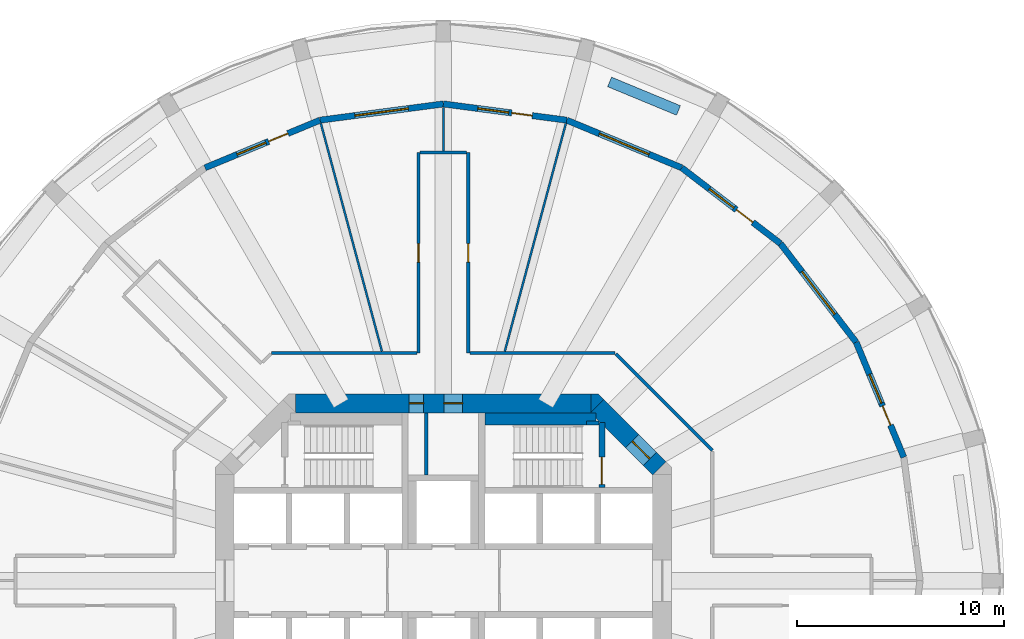
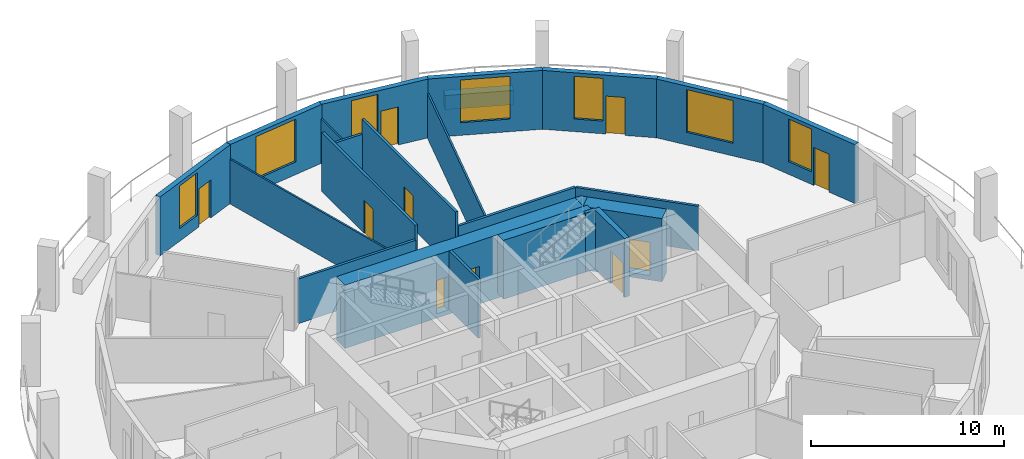
# One storey, part 6 of 9: 24 walls, 10 doors, 7 windows, 17 openings.
"""IFC4 building model written with IfcOpenShell, lengths in metres."""

from ifc_helpers import new_model, si_unit, direction, frame, frame_2d, origin, place, context, subcontext, project, spatial, polyline, rectangle, outline, extrude, material, layer, layer_set, type_object, element, fill, save


model = new_model("IFC4")

# Units and contexts
model_context = context("Model", 3, precision=1e-05, world=origin(), true_north=direction((0.0, 1.0)))
body_context = subcontext(model_context, "Body", "Model", "MODEL_VIEW")
ifc_project = project(units=[si_unit("LENGTHUNIT", "METRE"), si_unit("AREAUNIT", "SQUARE_METRE"), si_unit("VOLUMEUNIT", "CUBIC_METRE"), si_unit("PLANEANGLEUNIT", "RADIAN"), si_unit("MASSUNIT", "GRAM", prefix="KILO")], contexts=[model_context])

# Site, building, storey
site_placement = place(None, origin())
site = spatial("IfcSite", under=ifc_project, at=site_placement, CompositionType="ELEMENT")
building_placement = place(site_placement, origin())
building = spatial("IfcBuilding", under=site, at=building_placement, Name="Torre Triforio", CompositionType="ELEMENT")
storey_placement = place(building_placement, frame((0.0, 0.0, 35.0)))
storey = spatial("IfcBuildingStorey", under=building, at=storey_placement, Name="L06", CompositionType="ELEMENT", Elevation=35.0)

# Wall, openings, doors
ifc_material_1 = material(Name="Concrete C60", Category="concrete")
ifc_layer_1 = layer(ifc_material_1, 0.89990234375)
ifc_layer_set_1 = layer_set([ifc_layer_1], Name="Concrete C60")
wall_type_1 = type_object("IfcWallType", Name="Core wall 900 mm C60 EI 120", PredefinedType="SHEAR", material=ifc_layer_set_1)
wall_1_placement = place(storey_placement, frame((-7.1298828125, 8.550048828125, -0.280029296875), z_axis=(0.0, 0.0, 1.0), x_axis=(1.0, 0.0, 0.0)))
wall_1 = element("IfcWall", 1, at=wall_1_placement, inside=storey, type_object=wall_type_1, Name="Core wall", PredefinedType="SHEAR", context=body_context, shape_type="SweptSolid", body=[
    extrude(rectangle(XDim=14.259765625, YDim=0.89990234375, at=frame_2d((7.1298828125, 0.0))), origin(), (0.0, 0.0, 1.0), 4.0),
])
opening_1_placement = place(wall_1_placement, frame((5.47998046875, 0.0, 0.280029296875)))
opening_1 = element("IfcOpeningElement", 2, at=opening_1_placement, cuts=wall_1, Name="Opening RISER-N", PredefinedType="OPENING", context=body_context, shape_type="SweptSolid", body=[
    extrude(rectangle(XDim=0.699951171875, YDim=2.10009765625, at=frame_2d((0.35009765625, 1.050048828125))), frame((0.0, 0.4599609375, 0.0), z_axis=(0.0, -1.0, 0.0), x_axis=(1.0, 0.0, 0.0)), (0.0, 0.0, 1.0), 0.919921875),
])
opening_2_placement = place(wall_1_placement, frame((7.155029296875, 0.0, 0.280029296875)))
opening_2 = element("IfcOpeningElement", 3, at=opening_2_placement, cuts=wall_1, Name="Opening NE-01", PredefinedType="OPENING", context=body_context, shape_type="SweptSolid", body=[
    extrude(rectangle(XDim=0.89990234375, YDim=2.10009765625, at=frame_2d((0.449951171875, 1.050048828125))), frame((0.0, 0.4599609375, 0.0), z_axis=(0.0, -1.0, 0.0), x_axis=(1.0, 0.0, 0.0)), (0.0, 0.0, 1.0), 0.919921875),
])
ifc_material_2 = material(Name="Hollow metal fire door leaf")
door_type_1 = type_object("IfcDoorType", Name="Riser door 700 x 2100 EI 60", OperationType="NOTDEFINED", PredefinedType="DOOR", material=ifc_material_2)
door_1_placement = place(opening_1_placement, origin())
door_1 = element("IfcDoor", 4, at=door_1_placement, inside=storey, type_object=door_type_1, Name="Core door RISER-N", OperationType="SINGLE_SWING_LEFT", OverallHeight=2.10009765625, OverallWidth=0.699951171875, PredefinedType="DOOR", context=body_context, shape_type="SweptSolid", body=[
    extrude(rectangle(XDim=0.699951171875, YDim=2.10009765625, at=frame_2d((0.35009765625, 1.050048828125))), frame((0.0, 0.02490234375, 0.0), z_axis=(0.0, -1.0, 0.0), x_axis=(1.0, 0.0, 0.0)), (0.0, 0.0, 1.0), 0.050048828125),
])
fill(opening_1, door_1)
door_type_2 = type_object("IfcDoorType", Name="Room door 900 x 2100 EI 60", OperationType="NOTDEFINED", PredefinedType="DOOR", material=ifc_material_2)
door_2_placement = place(opening_2_placement, origin())
door_2 = element("IfcDoor", 5, at=door_2_placement, inside=storey, type_object=door_type_2, Name="Core door NE-01", OperationType="SINGLE_SWING_RIGHT", OverallHeight=2.10009765625, OverallWidth=0.89990234375, PredefinedType="DOOR", context=body_context, shape_type="SweptSolid", body=[
    extrude(rectangle(XDim=0.89990234375, YDim=2.10009765625, at=frame_2d((0.449951171875, 1.050048828125))), frame((0.0, 0.02490234375, 0.0), z_axis=(0.0, -1.0, 0.0), x_axis=(1.0, 0.0, 0.0)), (0.0, 0.0, 1.0), 0.050048828125),
])
fill(opening_2, door_2)

# Wall, opening, door
wall_2_placement = place(storey_placement, frame((7.418212890625, 8.418212890625, -0.280029296875), z_axis=(0.0, 0.0, 1.0), x_axis=(0.707106781187, -0.707106781187, 0.0)))
wall_2 = element("IfcWall", 6, at=wall_2_placement, inside=storey, type_object=wall_type_1, Name="Core wall", PredefinedType="SHEAR", context=body_context, shape_type="SweptSolid", body=[
    extrude(rectangle(XDim=4.24267578125, YDim=0.89990234375, at=frame_2d((2.121337890625, 0.0))), origin(), (0.0, 0.0, 1.0), 4.0),
])
opening_3_placement = place(wall_2_placement, frame((2.392578125, 0.0, 0.280029296875)))
opening_3 = element("IfcOpeningElement", 7, at=opening_3_placement, cuts=wall_2, Name="Opening ST2-EXIT", PredefinedType="OPENING", context=body_context, shape_type="SweptSolid", body=[
    extrude(rectangle(XDim=1.199951171875, YDim=2.10009765625, at=frame_2d((0.60009765625, 1.050048828125))), frame((0.0, 0.4599609375, 0.0), z_axis=(0.0, -1.0, 0.0), x_axis=(1.0, 0.0, 0.0)), (0.0, 0.0, 1.0), 0.919921875),
])
door_type_3 = type_object("IfcDoorType", Name="Stair lobby door 1200 x 2100 EI 60", OperationType="NOTDEFINED", PredefinedType="DOOR", material=ifc_material_2)
door_3_placement = place(opening_3_placement, origin())
door_3 = element("IfcDoor", 8, at=door_3_placement, inside=storey, type_object=door_type_3, Name="Core door ST2-EXIT", OperationType="SINGLE_SWING_RIGHT", OverallHeight=2.10009765625, OverallWidth=1.199951171875, PredefinedType="DOOR", context=body_context, shape_type="SweptSolid", body=[
    extrude(rectangle(XDim=1.199951171875, YDim=2.10009765625, at=frame_2d((0.60009765625, 1.050048828125))), frame((0.0, 0.02490234375, 0.0), z_axis=(0.0, -1.0, 0.0), x_axis=(1.0, 0.0, 0.0)), (0.0, 0.0, 1.0), 0.050048828125),
])
fill(opening_3, door_3)

# Walls
wall_3_placement = place(storey_placement, frame((0.0, 0.0, -0.280029296875)))
element("IfcWall", 9, at=wall_3_placement, inside=storey, type_object=wall_type_1, Name="Core wall", PredefinedType="SHEAR", context=body_context, shape_type="SweptSolid", body=[
    extrude(outline(polyline([(7.472900390625, 9.0), (7.736328125, 8.736328125), (7.1298828125, 8.1298828125), (7.1298828125, 9.0), (7.472900390625, 9.0)])), origin(), (0.0, 0.0, 1.0), 4.0),
])
ifc_material_3 = material(Name="Plasterboard on metal studs")
ifc_layer_2 = layer(ifc_material_3, 0.14990234375)
ifc_layer_set_2 = layer_set([ifc_layer_2], Name="Plasterboard on metal studs")
wall_type_2 = type_object("IfcWallType", Name="Corridor and tenancy wall 150 mm EI 60", PredefinedType="PARTITIONING", material=ifc_layer_set_2)
wall_4_placement = place(storey_placement, frame((-8.291015625, 10.97509765625, 0.0), z_axis=(0.0, 0.0, 1.0), x_axis=(1.0, 0.0, 0.0)))
element("IfcWall", 10, at=wall_4_placement, inside=storey, type_object=wall_type_2, Name="Partition 21", PredefinedType="PARTITIONING", context=body_context, shape_type="SweptSolid", body=[
    extrude(rectangle(XDim=7.01611328125, YDim=0.14990234375, at=frame_2d((3.508056640625, 0.0))), origin(), (0.0, 0.0, 1.0), 2.820068359375),
])

# Wall, opening, door
wall_5_placement = place(storey_placement, frame((-1.199951171875, 10.97509765625, 0.0), z_axis=(0.0, 0.0, 1.0), x_axis=(0.0, 1.0, 0.0)))
wall_5 = element("IfcWall", 11, at=wall_5_placement, inside=storey, type_object=wall_type_2, Name="Partition 22", PredefinedType="PARTITIONING", context=body_context, shape_type="SweptSolid", body=[
    extrude(rectangle(XDim=9.673583984375, YDim=0.14990234375, at=frame_2d((4.8369140625, 0.0))), origin(), (0.0, 0.0, 1.0), 3.719970703125),
])
opening_4_placement = place(wall_5_placement, frame((4.386962890625, 0.0, 0.0)))
opening_4 = element("IfcOpeningElement", 12, at=opening_4_placement, cuts=wall_5, Name="Opening N1-03", PredefinedType="OPENING", context=body_context, shape_type="SweptSolid", body=[
    extrude(rectangle(XDim=0.89990234375, YDim=2.10009765625, at=frame_2d((0.449951171875, 1.050048828125))), frame((0.0, 0.0849609375, 0.0), z_axis=(0.0, -1.0, 0.0), x_axis=(1.0, 0.0, 0.0)), (0.0, 0.0, 1.0), 0.169921875),
])
ifc_material_4 = material(Name="Timber", Category="wood")
door_type_4 = type_object("IfcDoorType", Name="Door 900 x 2100 single leaf EI 30", OperationType="NOTDEFINED", PredefinedType="DOOR", material=ifc_material_4)
door_4_placement = place(opening_4_placement, origin())
door_4 = element("IfcDoor", 13, at=door_4_placement, inside=storey, type_object=door_type_4, Name="Door N1-03", OperationType="SINGLE_SWING_RIGHT", OverallHeight=2.10009765625, OverallWidth=0.89990234375, PredefinedType="DOOR", context=body_context, shape_type="SweptSolid", body=[
    extrude(rectangle(XDim=0.89990234375, YDim=2.10009765625, at=frame_2d((0.449951171875, 1.050048828125))), frame((0.0, 0.02490234375, 0.0), z_axis=(0.0, -1.0, 0.0), x_axis=(1.0, 0.0, 0.0)), (0.0, 0.0, 1.0), 0.050048828125),
])
fill(opening_4, door_4)

# Wall
wall_6_placement = place(storey_placement, frame((-1.125, 20.648681640625, 0.0), z_axis=(0.0, 0.0, 1.0), x_axis=(1.0, 0.0, 0.0)))
element("IfcWall", 14, at=wall_6_placement, inside=storey, type_object=wall_type_2, Name="Partition 23", PredefinedType="PARTITIONING", context=body_context, shape_type="SweptSolid", body=[
    extrude(rectangle(XDim=2.25, YDim=0.14990234375, at=frame_2d((1.125, 0.0))), origin(), (0.0, 0.0, 1.0), 2.820068359375),
])

# Wall, opening, door
wall_7_placement = place(storey_placement, frame((1.199951171875, 20.648681640625, 0.0), z_axis=(0.0, 0.0, 1.0), x_axis=(0.0, -1.0, 0.0)))
wall_7 = element("IfcWall", 15, at=wall_7_placement, inside=storey, type_object=wall_type_2, Name="Partition 24", PredefinedType="PARTITIONING", context=body_context, shape_type="SweptSolid", body=[
    extrude(rectangle(XDim=9.673583984375, YDim=0.14990234375, at=frame_2d((4.8369140625, 0.0))), origin(), (0.0, 0.0, 1.0), 3.719970703125),
])
opening_5_placement = place(wall_7_placement, frame((4.386962890625, 0.0, 0.0)))
opening_5 = element("IfcOpeningElement", 16, at=opening_5_placement, cuts=wall_7, Name="Opening N1-02", PredefinedType="OPENING", context=body_context, shape_type="SweptSolid", body=[
    extrude(rectangle(XDim=0.89990234375, YDim=2.10009765625, at=frame_2d((0.449951171875, 1.050048828125))), frame((0.0, 0.0849609375, 0.0), z_axis=(0.0, -1.0, 0.0), x_axis=(1.0, 0.0, 0.0)), (0.0, 0.0, 1.0), 0.169921875),
])
door_5_placement = place(opening_5_placement, origin())
door_5 = element("IfcDoor", 17, at=door_5_placement, inside=storey, type_object=door_type_4, Name="Door N1-02", OperationType="SINGLE_SWING_RIGHT", OverallHeight=2.10009765625, OverallWidth=0.89990234375, PredefinedType="DOOR", context=body_context, shape_type="SweptSolid", body=[
    extrude(rectangle(XDim=0.89990234375, YDim=2.10009765625, at=frame_2d((0.449951171875, 1.050048828125))), frame((0.0, 0.02490234375, 0.0), z_axis=(0.0, -1.0, 0.0), x_axis=(1.0, 0.0, 0.0)), (0.0, 0.0, 1.0), 0.050048828125),
])
fill(opening_5, door_5)

# Walls
wall_8_placement = place(storey_placement, frame((1.27490234375, 10.97509765625, 0.0), z_axis=(0.0, 0.0, 1.0), x_axis=(1.0, 0.0, 0.0)))
element("IfcWall", 18, at=wall_8_placement, inside=storey, type_object=wall_type_2, Name="Partition 25", PredefinedType="PARTITIONING", context=body_context, shape_type="SweptSolid", body=[
    extrude(rectangle(XDim=7.01611328125, YDim=0.14990234375, at=frame_2d((3.508056640625, 0.0))), origin(), (0.0, 0.0, 1.0), 2.820068359375),
])
wall_9_placement = place(storey_placement, frame((8.327880859375, 10.93798828125, 0.0), z_axis=(0.0, 0.0, 1.0), x_axis=(0.707125355289, -0.707088206597, 0.0)))
element("IfcWall", 19, at=wall_9_placement, inside=storey, type_object=wall_type_2, Name="Partition 26", PredefinedType="PARTITIONING", context=body_context, shape_type="SweptSolid", body=[
    extrude(rectangle(XDim=6.572021484375, YDim=0.14990234375, at=frame_2d((3.2861328125, 0.0))), origin(), (0.0, 0.0, 1.0), 2.820068359375),
])
ifc_layer_3 = layer(ifc_material_3, 0.10009765625)
ifc_layer_set_3 = layer_set([ifc_layer_3], Name="Plasterboard on metal studs")
wall_type_3 = type_object("IfcWallType", Name="Partition 100 mm board on metal studs", PredefinedType="PARTITIONING", material=ifc_layer_set_3)
wall_10_placement = place(storey_placement, frame((2.964599609375, 11.064208984375, 0.0), z_axis=(0.0, 0.0, 1.0), x_axis=(0.258827930947, 0.965923445291, 0.0)))
element("IfcWall", 20, at=wall_10_placement, inside=storey, type_object=wall_type_3, Name="Partition 36", PredefinedType="PARTITIONING", context=body_context, shape_type="SweptSolid", body=[
    extrude(rectangle(XDim=11.38232421875, YDim=0.10009765625, at=frame_2d((5.691162109375, 0.0))), origin(), (0.0, 0.0, 1.0), 2.820068359375),
])
wall_11_placement = place(storey_placement, frame((0.0, 20.7236328125, 0.0), z_axis=(0.0, 0.0, 1.0), x_axis=(0.0, 1.0, 0.0)))
element("IfcWall", 21, at=wall_11_placement, inside=storey, type_object=wall_type_3, Name="Partition 37", PredefinedType="PARTITIONING", context=body_context, shape_type="SweptSolid", body=[
    extrude(rectangle(XDim=2.113037109375, YDim=0.10009765625, at=frame_2d((1.056640625, 0.0))), origin(), (0.0, 0.0, 1.0), 2.820068359375),
])
wall_12_placement = place(storey_placement, frame((-2.964599609375, 11.064208984375, 0.0), z_axis=(0.0, 0.0, 1.0), x_axis=(-0.258827930947, 0.965923445291, 0.0)))
element("IfcWall", 22, at=wall_12_placement, inside=storey, type_object=wall_type_3, Name="Partition 38", PredefinedType="PARTITIONING", context=body_context, shape_type="SweptSolid", body=[
    extrude(rectangle(XDim=11.38232421875, YDim=0.10009765625, at=frame_2d((5.691162109375, 0.0))), origin(), (0.0, 0.0, 1.0), 2.820068359375),
])
ifc_material_5 = material(Name="Block and board partition")
ifc_layer_4 = layer(ifc_material_5, 0.14990234375)
ifc_layer_set_4 = layer_set([ifc_layer_4], Name="Block and board partition")
wall_type_4 = type_object("IfcWallType", Name="Partition 150 mm EI 120", PredefinedType="PARTITIONING", material=ifc_layer_set_4)
wall_13_placement = place(storey_placement, frame((-0.824951171875, 5.10009765625, 0.0), z_axis=(0.0, 0.0, 1.0), x_axis=(0.0, 1.0, 0.0)))
element("IfcWall", 23, at=wall_13_placement, inside=storey, type_object=wall_type_4, Name="Partition", PredefinedType="PARTITIONING", context=body_context, shape_type="SweptSolid", body=[
    extrude(rectangle(XDim=3.0, YDim=0.14990234375, at=frame_2d((1.5, 0.0))), origin(), (0.0, 0.0, 1.0), 3.719970703125),
])
ifc_material_6 = material(Name="Limestone cladding", Category="masonry")
ifc_layer_5 = layer(ifc_material_6, 0.10009765625)
ifc_material_7 = material(Name="Concrete C40", Category="concrete")
ifc_layer_6 = layer(ifc_material_7, 0.39990234375)
ifc_layer_set_5 = layer_set([ifc_layer_5, ifc_layer_6], Name="Limestone cladding / Concrete C40")
wall_type_5 = type_object("IfcWallType", Name="Planter wall 500", PredefinedType="PARAPET", material=ifc_layer_set_5)
wall_14_placement = place(storey_placement, frame((11.344970703125, 22.685302734375, 0.0), z_axis=(0.0, 0.0, 1.0), x_axis=(-0.923885420167, 0.382669217998, 0.0)))
element("IfcWall", 24, at=wall_14_placement, inside=storey, type_object=wall_type_5, Name="Planter L06 bay 05", PredefinedType="PARAPET", context=body_context, shape_type="SweptSolid", body=[
    extrude(rectangle(XDim=3.60009765625, YDim=0.5, at=frame_2d((1.800048828125, 0.0))), origin(), (0.0, 0.0, 1.0), 0.89990234375),
])
ifc_layer_7 = layer(ifc_material_1, 0.199951171875)
ifc_layer_set_6 = layer_set([ifc_layer_7], Name="Concrete C60")
wall_type_6 = type_object("IfcWallType", Name="Stair wall 200 mm C60 EI 120", PredefinedType="SHEAR", material=ifc_layer_set_6)
wall_15_placement = place(storey_placement, frame((6.89990234375, 7.60009765625, 0.0), z_axis=(0.0, 0.0, 1.0), x_axis=(1.0, 0.0, 0.0)))
element("IfcWall", 25, at=wall_15_placement, inside=storey, type_object=wall_type_6, Name="Stair wall", PredefinedType="SHEAR", context=body_context, shape_type="SweptSolid", body=[
    extrude(rectangle(XDim=0.60009765625, YDim=0.199951171875, at=frame_2d((0.300048828125, 0.0))), origin(), (0.0, 0.0, 1.0), 3.719970703125),
])

# Wall, opening, door
ifc_layer_8 = layer(ifc_material_1, 0.300048828125)
ifc_layer_set_7 = layer_set([ifc_layer_8], Name="Concrete C60")
wall_type_7 = type_object("IfcWallType", Name="Stair wall 300 mm C60 EI 120", PredefinedType="SHEAR", material=ifc_layer_set_7)
wall_16_placement = place(storey_placement, frame((7.64990234375, 4.5, 0.0), z_axis=(0.0, 0.0, 1.0), x_axis=(0.0, 1.0, 0.0)))
wall_16 = element("IfcWall", 26, at=wall_16_placement, inside=storey, type_object=wall_type_7, Name="Stair wall", PredefinedType="SHEAR", context=body_context, shape_type="SweptSolid", body=[
    extrude(rectangle(XDim=3.139892578125, YDim=0.300048828125, at=frame_2d((1.56982421875, 0.0))), origin(), (0.0, 0.0, 1.0), 3.719970703125),
])
opening_6_placement = place(wall_16_placement, frame((0.139892578125, 0.0, 0.0)))
opening_6 = element("IfcOpeningElement", 27, at=opening_6_placement, cuts=wall_16, Name="Opening ST2-STA", PredefinedType="OPENING", context=body_context, shape_type="SweptSolid", body=[
    extrude(rectangle(XDim=1.320068359375, YDim=2.10009765625, at=frame_2d((0.66015625, 1.050048828125))), frame((0.0, 0.159912109375, 0.0), z_axis=(0.0, -1.0, 0.0), x_axis=(1.0, 0.0, 0.0)), (0.0, 0.0, 1.0), 0.320068359375),
])
door_type_5 = type_object("IfcDoorType", Name="Stair door 1320 x 2100 EI 90", OperationType="DOUBLE_DOOR_SINGLE_SWING", PredefinedType="DOOR", material=ifc_material_2)
door_6_placement = place(opening_6_placement, origin())
door_6 = element("IfcDoor", 28, at=door_6_placement, inside=storey, type_object=door_type_5, Name="Core door ST2-ST", OperationType="DOUBLE_DOOR_SINGLE_SWING", OverallHeight=2.10009765625, OverallWidth=1.320068359375, PredefinedType="DOOR", context=body_context, shape_type="SweptSolid", body=[
    extrude(rectangle(XDim=1.320068359375, YDim=2.10009765625, at=frame_2d((0.66015625, 1.050048828125))), frame((0.0, 0.02490234375, 0.0), z_axis=(0.0, -1.0, 0.0), x_axis=(1.0, 0.0, 0.0)), (0.0, 0.0, 1.0), 0.050048828125),
])
fill(opening_6, door_6)

# Wall
ifc_layer_9 = layer(ifc_material_1, 0.60009765625)
ifc_layer_set_8 = layer_set([ifc_layer_9], Name="Concrete C60")
wall_type_8 = type_object("IfcWallType", Name="Stair wall 600 mm C60 EI 120", PredefinedType="SHEAR", material=ifc_layer_set_8)
wall_17_placement = place(storey_placement, frame((2.0, 7.800048828125, 0.0), z_axis=(0.0, 0.0, 1.0), x_axis=(1.0, 0.0, 0.0)))
element("IfcWall", 29, at=wall_17_placement, inside=storey, type_object=wall_type_8, Name="Stair wall", PredefinedType="SHEAR", context=body_context, shape_type="SweptSolid", body=[
    extrude(rectangle(XDim=5.3701171875, YDim=0.60009765625, at=frame_2d((2.68505859375, 0.0))), origin(), (0.0, 0.0, 1.0), 3.719970703125),
])

# Wall, openings, door, window
ifc_layer_10 = layer(ifc_material_6, 0.10009765625)
ifc_layer_11 = layer(ifc_material_7, 0.199951171875)
ifc_layer_set_9 = layer_set([ifc_layer_10, ifc_layer_11], Name="Limestone cladding / Concrete C40")
wall_type_9 = type_object("IfcWallType", Name="Stone-faced composite wall 300", PredefinedType="STANDARD", material=ifc_layer_set_9)
wall_18_placement = place(storey_placement, frame((22.21630859375, 5.952880859375, 0.0), z_axis=(0.0, 0.0, 1.0), x_axis=(-0.382671411433, 0.923884511653, 0.0)))
wall_18 = element("IfcWall", 30, at=wall_18_placement, inside=storey, type_object=wall_type_9, Name="External wall L06 bay 02", PredefinedType="STANDARD", context=body_context, shape_type="SweptSolid", body=[
    extrude(rectangle(XDim=6.004150390625, YDim=0.300048828125, at=frame_2d((3.001953125, 0.0))), origin(), (0.0, 0.0, 1.0), 3.719970703125),
])
opening_7_placement = place(wall_18_placement, frame((1.677001953125, 0.0, 0.0)))
opening_7 = element("IfcOpeningElement", 31, at=opening_7_placement, cuts=wall_18, Name="Opening N1-D02", PredefinedType="OPENING", context=body_context, shape_type="SweptSolid", body=[
    extrude(rectangle(XDim=1.0, YDim=2.39990234375, at=frame_2d((0.5, 1.199951171875))), frame((0.0, 0.159912109375, 0.0), z_axis=(0.0, -1.0, 0.0), x_axis=(1.0, 0.0, 0.0)), (0.0, 0.0, 1.0), 0.320068359375),
])
opening_8_placement = place(wall_18_placement, frame((2.8271484375, 0.0, 0.800048828125)))
opening_8 = element("IfcOpeningElement", 32, at=opening_8_placement, cuts=wall_18, Name="Opening N1-W02A", PredefinedType="OPENING", context=body_context, shape_type="SweptSolid", body=[
    extrude(rectangle(XDim=1.5, YDim=2.699951171875, at=frame_2d((0.75, 1.35009765625))), frame((0.0, 0.159912109375, 0.0), z_axis=(0.0, -1.0, 0.0), x_axis=(1.0, 0.0, 0.0)), (0.0, 0.0, 1.0), 0.320068359375),
])
ifc_material_8 = material(Name="Aluminium frame with clear double glazing", Category="aluminium")
door_type_6 = type_object("IfcDoorType", Name="Loggia door 1000 x 2400", OperationType="NOTDEFINED", PredefinedType="DOOR", material=ifc_material_8)
door_7_placement = place(opening_7_placement, origin())
door_7 = element("IfcDoor", 33, at=door_7_placement, inside=storey, type_object=door_type_6, Name="Loggia door L06 bay 02", OperationType="SINGLE_SWING_LEFT", OverallHeight=2.39990234375, OverallWidth=1.0, PredefinedType="DOOR", context=body_context, shape_type="SweptSolid", body=[
    extrude(rectangle(XDim=1.0, YDim=2.39990234375, at=frame_2d((0.5, 1.199951171875))), frame((0.0, 0.02490234375, 0.0), z_axis=(0.0, -1.0, 0.0), x_axis=(1.0, 0.0, 0.0)), (0.0, 0.0, 1.0), 0.050048828125),
])
fill(opening_7, door_7)
window_type_1 = type_object("IfcWindowType", Name="Side window 1500 x 2700", PartitioningType="SINGLE_PANEL", PredefinedType="WINDOW", material=ifc_material_8)
window_1_placement = place(opening_8_placement, origin())
window_1 = element("IfcWindow", 34, at=window_1_placement, inside=storey, type_object=window_type_1, Name="Side window EWN12 L06 bay 02", OverallHeight=2.699951171875, OverallWidth=1.5, PartitioningType="SINGLE_PANEL", PredefinedType="WINDOW", context=body_context, shape_type="SweptSolid", body=[
    extrude(rectangle(XDim=1.5, YDim=2.699951171875, at=frame_2d((0.75, 1.35009765625))), frame((0.0, 0.030029296875, 0.0), z_axis=(0.0, -1.0, 0.0), x_axis=(1.0, 0.0, 0.0)), (0.0, 0.0, 1.0), 0.06005859375),
])
fill(opening_8, window_1)

# Wall, opening, window
wall_19_placement = place(storey_placement, frame((19.918701171875, 11.5, 0.0), z_axis=(0.0, 0.0, 1.0), x_axis=(-0.608778912074, 0.793339924758, 0.0)))
wall_19 = element("IfcWall", 35, at=wall_19_placement, inside=storey, type_object=wall_type_9, Name="External wall L06 bay 03", PredefinedType="STANDARD", context=body_context, shape_type="SweptSolid", body=[
    extrude(rectangle(XDim=6.004150390625, YDim=0.300048828125, at=frame_2d((3.001953125, 0.0))), origin(), (0.0, 0.0, 1.0), 3.719970703125),
])
opening_9_placement = place(wall_19_placement, frame((1.7021484375, 0.0, 0.800048828125)))
opening_9 = element("IfcOpeningElement", 36, at=opening_9_placement, cuts=wall_19, Name="Opening N1-W03", PredefinedType="OPENING", context=body_context, shape_type="SweptSolid", body=[
    extrude(rectangle(XDim=2.60009765625, YDim=2.699951171875, at=frame_2d((1.300048828125, 1.35009765625))), frame((0.0, 0.159912109375, 0.0), z_axis=(0.0, -1.0, 0.0), x_axis=(1.0, 0.0, 0.0)), (0.0, 0.0, 1.0), 0.320068359375),
])
window_type_2 = type_object("IfcWindowType", Name="Punched window 2600 x 2700", PartitioningType="DOUBLE_PANEL_VERTICAL", PredefinedType="WINDOW", material=ifc_material_8)
window_2_placement = place(opening_9_placement, origin())
window_2 = element("IfcWindow", 37, at=window_2_placement, inside=storey, type_object=window_type_2, Name="Window EWN2 L06 bay 03", OverallHeight=2.699951171875, OverallWidth=2.60009765625, PartitioningType="SINGLE_PANEL", PredefinedType="WINDOW", context=body_context, shape_type="SweptSolid", body=[
    extrude(rectangle(XDim=2.60009765625, YDim=2.699951171875, at=frame_2d((1.300048828125, 1.35009765625))), frame((0.0, 0.030029296875, 0.0), z_axis=(0.0, -1.0, 0.0), x_axis=(1.0, 0.0, 0.0)), (0.0, 0.0, 1.0), 0.06005859375),
])
fill(opening_9, window_2)

# Wall, openings, door, window
wall_20_placement = place(storey_placement, frame((16.263427734375, 16.263427734375, 0.0), z_axis=(0.0, 0.0, 1.0), x_axis=(-0.793339924758, 0.608778912074, 0.0)))
wall_20 = element("IfcWall", 38, at=wall_20_placement, inside=storey, type_object=wall_type_9, Name="External wall L06 bay 04", PredefinedType="STANDARD", context=body_context, shape_type="SweptSolid", body=[
    extrude(rectangle(XDim=6.004150390625, YDim=0.300048828125, at=frame_2d((3.001953125, 0.0))), origin(), (0.0, 0.0, 1.0), 3.719970703125),
])
opening_10_placement = place(wall_20_placement, frame((1.677001953125, 0.0, 0.0)))
opening_10 = element("IfcOpeningElement", 39, at=opening_10_placement, cuts=wall_20, Name="Opening N1-D04", PredefinedType="OPENING", context=body_context, shape_type="SweptSolid", body=[
    extrude(rectangle(XDim=1.0, YDim=2.39990234375, at=frame_2d((0.5, 1.199951171875))), frame((0.0, 0.159912109375, 0.0), z_axis=(0.0, -1.0, 0.0), x_axis=(1.0, 0.0, 0.0)), (0.0, 0.0, 1.0), 0.320068359375),
])
opening_11_placement = place(wall_20_placement, frame((2.8271484375, 0.0, 0.800048828125)))
opening_11 = element("IfcOpeningElement", 40, at=opening_11_placement, cuts=wall_20, Name="Opening N1-W04A", PredefinedType="OPENING", context=body_context, shape_type="SweptSolid", body=[
    extrude(rectangle(XDim=1.5, YDim=2.699951171875, at=frame_2d((0.75, 1.35009765625))), frame((0.0, 0.159912109375, 0.0), z_axis=(0.0, -1.0, 0.0), x_axis=(1.0, 0.0, 0.0)), (0.0, 0.0, 1.0), 0.320068359375),
])
door_8_placement = place(opening_10_placement, origin())
door_8 = element("IfcDoor", 41, at=door_8_placement, inside=storey, type_object=door_type_6, Name="Loggia door L06 bay 04", OperationType="SINGLE_SWING_RIGHT", OverallHeight=2.39990234375, OverallWidth=1.0, PredefinedType="DOOR", context=body_context, shape_type="SweptSolid", body=[
    extrude(rectangle(XDim=1.0, YDim=2.39990234375, at=frame_2d((0.5, 1.199951171875))), frame((0.0, 0.02490234375, 0.0), z_axis=(0.0, -1.0, 0.0), x_axis=(1.0, 0.0, 0.0)), (0.0, 0.0, 1.0), 0.050048828125),
])
fill(opening_10, door_8)
window_3_placement = place(opening_11_placement, origin())
window_3 = element("IfcWindow", 42, at=window_3_placement, inside=storey, type_object=window_type_1, Name="Side window EWN12 L06 bay 04", OverallHeight=2.699951171875, OverallWidth=1.5, PartitioningType="SINGLE_PANEL", PredefinedType="WINDOW", context=body_context, shape_type="SweptSolid", body=[
    extrude(rectangle(XDim=1.5, YDim=2.699951171875, at=frame_2d((0.75, 1.35009765625))), frame((0.0, 0.030029296875, 0.0), z_axis=(0.0, -1.0, 0.0), x_axis=(1.0, 0.0, 0.0)), (0.0, 0.0, 1.0), 0.06005859375),
])
fill(opening_11, window_3)

# Wall, opening, window
wall_21_placement = place(storey_placement, frame((11.5, 19.918701171875, 0.0), z_axis=(0.0, 0.0, 1.0), x_axis=(-0.923884511653, 0.382671411433, 0.0)))
wall_21 = element("IfcWall", 43, at=wall_21_placement, inside=storey, type_object=wall_type_9, Name="External wall L06 bay 05", PredefinedType="STANDARD", context=body_context, shape_type="SweptSolid", body=[
    extrude(rectangle(XDim=6.004150390625, YDim=0.300048828125, at=frame_2d((3.001953125, 0.0))), origin(), (0.0, 0.0, 1.0), 3.719970703125),
])
opening_12_placement = place(wall_21_placement, frame((1.7021484375, 0.0, 0.800048828125)))
opening_12 = element("IfcOpeningElement", 44, at=opening_12_placement, cuts=wall_21, Name="Opening N1-W05", PredefinedType="OPENING", context=body_context, shape_type="SweptSolid", body=[
    extrude(rectangle(XDim=2.60009765625, YDim=2.699951171875, at=frame_2d((1.300048828125, 1.35009765625))), frame((0.0, 0.159912109375, 0.0), z_axis=(0.0, -1.0, 0.0), x_axis=(1.0, 0.0, 0.0)), (0.0, 0.0, 1.0), 0.320068359375),
])
window_4_placement = place(opening_12_placement, origin())
window_4 = element("IfcWindow", 45, at=window_4_placement, inside=storey, type_object=window_type_2, Name="Window EWN2 L06 bay 05", OverallHeight=2.699951171875, OverallWidth=2.60009765625, PartitioningType="SINGLE_PANEL", PredefinedType="WINDOW", context=body_context, shape_type="SweptSolid", body=[
    extrude(rectangle(XDim=2.60009765625, YDim=2.699951171875, at=frame_2d((1.300048828125, 1.35009765625))), frame((0.0, 0.030029296875, 0.0), z_axis=(0.0, -1.0, 0.0), x_axis=(1.0, 0.0, 0.0)), (0.0, 0.0, 1.0), 0.06005859375),
])
fill(opening_12, window_4)

# Wall, openings, door, window
wall_22_placement = place(storey_placement, frame((5.952880859375, 22.21630859375, 0.0), z_axis=(0.0, 0.0, 1.0), x_axis=(-0.991445297315, 0.130522880875, 0.0)))
wall_22 = element("IfcWall", 46, at=wall_22_placement, inside=storey, type_object=wall_type_9, Name="External wall L06 bay 06", PredefinedType="STANDARD", context=body_context, shape_type="SweptSolid", body=[
    extrude(rectangle(XDim=6.004150390625, YDim=0.300048828125, at=frame_2d((3.001953125, 0.0))), origin(), (0.0, 0.0, 1.0), 3.719970703125),
])
opening_13_placement = place(wall_22_placement, frame((1.677001953125, 0.0, 0.0)))
opening_13 = element("IfcOpeningElement", 47, at=opening_13_placement, cuts=wall_22, Name="Opening N1-D06", PredefinedType="OPENING", context=body_context, shape_type="SweptSolid", body=[
    extrude(rectangle(XDim=1.0, YDim=2.39990234375, at=frame_2d((0.5, 1.199951171875))), frame((0.0, 0.159912109375, 0.0), z_axis=(0.0, -1.0, 0.0), x_axis=(1.0, 0.0, 0.0)), (0.0, 0.0, 1.0), 0.320068359375),
])
opening_14_placement = place(wall_22_placement, frame((2.8271484375, 0.0, 0.800048828125)))
opening_14 = element("IfcOpeningElement", 48, at=opening_14_placement, cuts=wall_22, Name="Opening N1-W06A", PredefinedType="OPENING", context=body_context, shape_type="SweptSolid", body=[
    extrude(rectangle(XDim=1.5, YDim=2.699951171875, at=frame_2d((0.75, 1.35009765625))), frame((0.0, 0.159912109375, 0.0), z_axis=(0.0, -1.0, 0.0), x_axis=(1.0, 0.0, 0.0)), (0.0, 0.0, 1.0), 0.320068359375),
])
door_9_placement = place(opening_13_placement, origin())
door_9 = element("IfcDoor", 49, at=door_9_placement, inside=storey, type_object=door_type_6, Name="Loggia door L06 bay 06", OperationType="SINGLE_SWING_LEFT", OverallHeight=2.39990234375, OverallWidth=1.0, PredefinedType="DOOR", context=body_context, shape_type="SweptSolid", body=[
    extrude(rectangle(XDim=1.0, YDim=2.39990234375, at=frame_2d((0.5, 1.199951171875))), frame((0.0, 0.02490234375, 0.0), z_axis=(0.0, -1.0, 0.0), x_axis=(1.0, 0.0, 0.0)), (0.0, 0.0, 1.0), 0.050048828125),
])
fill(opening_13, door_9)
window_5_placement = place(opening_14_placement, origin())
window_5 = element("IfcWindow", 50, at=window_5_placement, inside=storey, type_object=window_type_1, Name="Side window EWN12 L06 bay 06", OverallHeight=2.699951171875, OverallWidth=1.5, PartitioningType="SINGLE_PANEL", PredefinedType="WINDOW", context=body_context, shape_type="SweptSolid", body=[
    extrude(rectangle(XDim=1.5, YDim=2.699951171875, at=frame_2d((0.75, 1.35009765625))), frame((0.0, 0.030029296875, 0.0), z_axis=(0.0, -1.0, 0.0), x_axis=(1.0, 0.0, 0.0)), (0.0, 0.0, 1.0), 0.06005859375),
])
fill(opening_14, window_5)

# Wall, opening, window
wall_23_placement = place(storey_placement, frame((0.0, 23.0, 0.0), z_axis=(0.0, 0.0, 1.0), x_axis=(-0.991445297315, -0.130522880875, 0.0)))
wall_23 = element("IfcWall", 51, at=wall_23_placement, inside=storey, type_object=wall_type_9, Name="External wall L06 bay 07", PredefinedType="STANDARD", context=body_context, shape_type="SweptSolid", body=[
    extrude(rectangle(XDim=6.004150390625, YDim=0.300048828125, at=frame_2d((3.001953125, 0.0))), origin(), (0.0, 0.0, 1.0), 3.719970703125),
])
opening_15_placement = place(wall_23_placement, frame((1.7021484375, 0.0, 0.800048828125)))
opening_15 = element("IfcOpeningElement", 52, at=opening_15_placement, cuts=wall_23, Name="Opening N1-W07", PredefinedType="OPENING", context=body_context, shape_type="SweptSolid", body=[
    extrude(rectangle(XDim=2.60009765625, YDim=2.699951171875, at=frame_2d((1.300048828125, 1.35009765625))), frame((0.0, 0.159912109375, 0.0), z_axis=(0.0, -1.0, 0.0), x_axis=(1.0, 0.0, 0.0)), (0.0, 0.0, 1.0), 0.320068359375),
])
window_6_placement = place(opening_15_placement, origin())
window_6 = element("IfcWindow", 53, at=window_6_placement, inside=storey, type_object=window_type_2, Name="Window EWN2 L06 bay 07", OverallHeight=2.699951171875, OverallWidth=2.60009765625, PartitioningType="SINGLE_PANEL", PredefinedType="WINDOW", context=body_context, shape_type="SweptSolid", body=[
    extrude(rectangle(XDim=2.60009765625, YDim=2.699951171875, at=frame_2d((1.300048828125, 1.35009765625))), frame((0.0, 0.030029296875, 0.0), z_axis=(0.0, -1.0, 0.0), x_axis=(1.0, 0.0, 0.0)), (0.0, 0.0, 1.0), 0.06005859375),
])
fill(opening_15, window_6)

# Wall, openings, door, window
wall_24_placement = place(storey_placement, frame((-5.952880859375, 22.21630859375, 0.0), z_axis=(0.0, 0.0, 1.0), x_axis=(-0.923884511653, -0.382671411433, 0.0)))
wall_24 = element("IfcWall", 54, at=wall_24_placement, inside=storey, type_object=wall_type_9, Name="External wall L06 bay 08", PredefinedType="STANDARD", context=body_context, shape_type="SweptSolid", body=[
    extrude(rectangle(XDim=6.004150390625, YDim=0.300048828125, at=frame_2d((3.001953125, 0.0))), origin(), (0.0, 0.0, 1.0), 3.719970703125),
])
opening_16_placement = place(wall_24_placement, frame((1.677001953125, 0.0, 0.0)))
opening_16 = element("IfcOpeningElement", 55, at=opening_16_placement, cuts=wall_24, Name="Opening N1-D08", PredefinedType="OPENING", context=body_context, shape_type="SweptSolid", body=[
    extrude(rectangle(XDim=1.0, YDim=2.39990234375, at=frame_2d((0.5, 1.199951171875))), frame((0.0, 0.159912109375, 0.0), z_axis=(0.0, -1.0, 0.0), x_axis=(1.0, 0.0, 0.0)), (0.0, 0.0, 1.0), 0.320068359375),
])
opening_17_placement = place(wall_24_placement, frame((2.8271484375, 0.0, 0.800048828125)))
opening_17 = element("IfcOpeningElement", 56, at=opening_17_placement, cuts=wall_24, Name="Opening N1-W08A", PredefinedType="OPENING", context=body_context, shape_type="SweptSolid", body=[
    extrude(rectangle(XDim=1.5, YDim=2.699951171875, at=frame_2d((0.75, 1.35009765625))), frame((0.0, 0.159912109375, 0.0), z_axis=(0.0, -1.0, 0.0), x_axis=(1.0, 0.0, 0.0)), (0.0, 0.0, 1.0), 0.320068359375),
])
door_10_placement = place(opening_16_placement, origin())
door_10 = element("IfcDoor", 57, at=door_10_placement, inside=storey, type_object=door_type_6, Name="Loggia door L06 bay 08", OperationType="SINGLE_SWING_LEFT", OverallHeight=2.39990234375, OverallWidth=1.0, PredefinedType="DOOR", context=body_context, shape_type="SweptSolid", body=[
    extrude(rectangle(XDim=1.0, YDim=2.39990234375, at=frame_2d((0.5, 1.199951171875))), frame((0.0, 0.02490234375, 0.0), z_axis=(0.0, -1.0, 0.0), x_axis=(1.0, 0.0, 0.0)), (0.0, 0.0, 1.0), 0.050048828125),
])
fill(opening_16, door_10)
window_7_placement = place(opening_17_placement, origin())
window_7 = element("IfcWindow", 58, at=window_7_placement, inside=storey, type_object=window_type_1, Name="Side window EWN12 L06 bay 08", OverallHeight=2.699951171875, OverallWidth=1.5, PartitioningType="SINGLE_PANEL", PredefinedType="WINDOW", context=body_context, shape_type="SweptSolid", body=[
    extrude(rectangle(XDim=1.5, YDim=2.699951171875, at=frame_2d((0.75, 1.35009765625))), frame((0.0, 0.030029296875, 0.0), z_axis=(0.0, -1.0, 0.0), x_axis=(1.0, 0.0, 0.0)), (0.0, 0.0, 1.0), 0.06005859375),
])
fill(opening_17, window_7)

save(model, "model.ifc")
